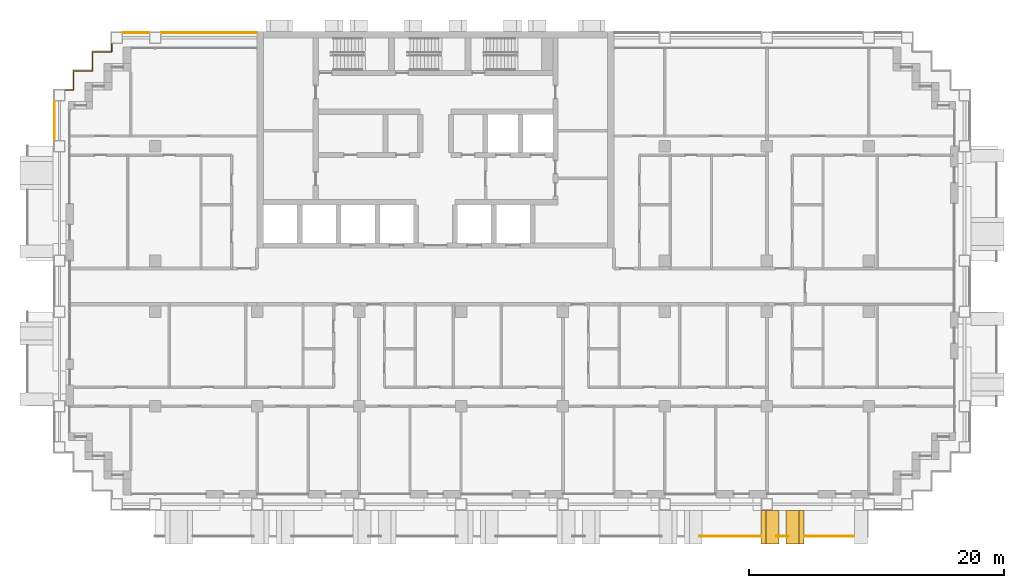
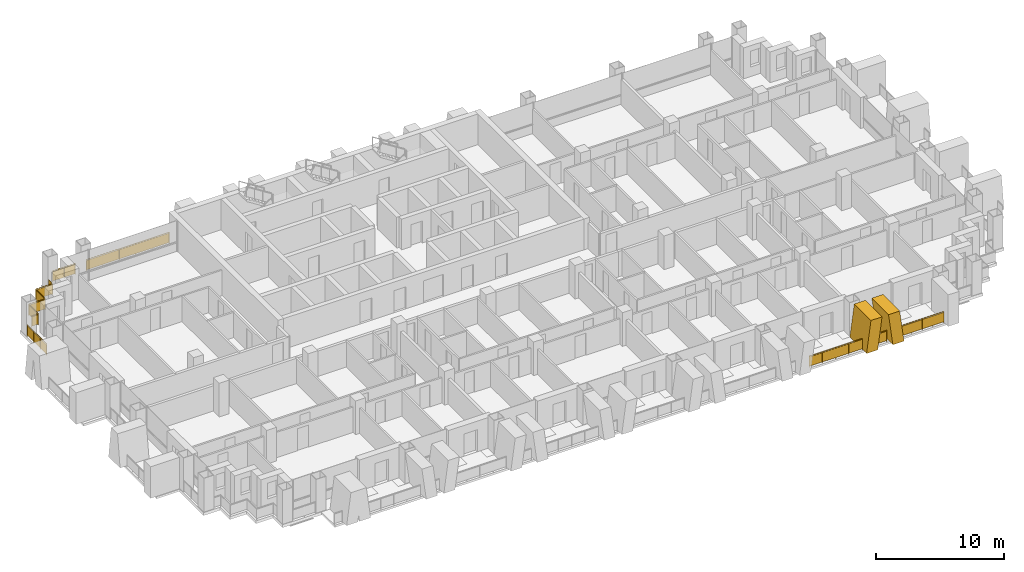
# One storey, part 16 of 18: 7 railings, 2 shading devices.
"""IFC4 building model written with IfcOpenShell, lengths in metres."""

from ifc_helpers import new_model, si_unit, direction, frame, origin, origin_2d, place, context, subcontext, project, spatial, polyline, rectangle, circle, outline, extrude, material, layer, layer_set, type_object, element, save


model = new_model("IFC4")

# Units and contexts
model_context = context("Model", 3, precision=1e-05, world=origin(), true_north=direction((0.0, 1.0)))
body_context = subcontext(model_context, "Body", "Model", "MODEL_VIEW")
ifc_project = project(units=[si_unit("LENGTHUNIT", "METRE"), si_unit("AREAUNIT", "SQUARE_METRE"), si_unit("VOLUMEUNIT", "CUBIC_METRE"), si_unit("PLANEANGLEUNIT", "RADIAN"), si_unit("MASSUNIT", "GRAM", prefix="KILO")], contexts=[model_context])

# Site, building, storey
site_placement = place(None, origin())
site = spatial("IfcSite", under=ifc_project, at=site_placement, CompositionType="ELEMENT")
building_placement = place(site_placement, origin())
building = spatial("IfcBuilding", under=site, at=building_placement, Name="Vidyagriha Tower", CompositionType="ELEMENT")
storey_placement = place(building_placement, frame((0.0, 0.0, 83.89990234375)))
storey = spatial("IfcBuildingStorey", under=building, at=storey_placement, Name="L21", CompositionType="ELEMENT", Elevation=83.89990234375)

# Railings
ifc_material_1 = material(Name="Steel ASTM A500 Grade C black painted", Category="steel")
railing_type_1 = type_object("IfcRailingType", Name="Balcony guard 1100", PredefinedType="BALUSTRADE", material=ifc_material_1)
railing_1_placement = place(storey_placement, frame((20.71630859375, -19.60009765625, 0.0)))
element("IfcRailing", 1, at=railing_1_placement, inside=storey, type_object=railing_type_1, Name="Balcony guard L21 R23.1-12", PredefinedType="BALUSTRADE", context=body_context, shape_type="SweptSolid", body=[
    extrude(circle(Radius=0.02490234375, at=origin_2d()), frame((0.0, 0.0, 1.0751953125), z_axis=(1.0, 0.0, 0.0), x_axis=(0.0, 1.0, 0.0)), (0.0, 0.0, 1.0), 4.773681640625),
    extrude(circle(Radius=0.02001953125, at=origin_2d()), origin(), (0.0, 0.0, 1.0), 1.050048828125),
    extrude(circle(Radius=0.02001953125, at=origin_2d()), frame((1.193359375, 0.0, 0.0)), (0.0, 0.0, 1.0), 1.050048828125),
    extrude(circle(Radius=0.02001953125, at=origin_2d()), frame((2.38671875, 0.0, 0.0)), (0.0, 0.0, 1.0), 1.050048828125),
    extrude(circle(Radius=0.02001953125, at=origin_2d()), frame((3.580322265625, 0.0, 0.0)), (0.0, 0.0, 1.0), 1.050048828125),
    extrude(circle(Radius=0.02001953125, at=origin_2d()), frame((4.773681640625, 0.0, 0.0)), (0.0, 0.0, 1.0), 1.050048828125),
    extrude(rectangle(XDim=0.010009765625, YDim=0.900146484375, at=origin_2d()), frame((0.0, 0.0, 0.550048828125), z_axis=(1.0, 0.0, 0.0), x_axis=(0.0, 1.0, 0.0)), (0.0, 0.0, 1.0), 4.773681640625),
])
railing_2_placement = place(storey_placement, frame((26.741455078125, -19.60009765625, 0.0)))
element("IfcRailing", 2, at=railing_2_placement, inside=storey, type_object=railing_type_1, Name="Balcony guard L21 R23.1-13", PredefinedType="BALUSTRADE", context=body_context, shape_type="SweptSolid", body=[
    extrude(circle(Radius=0.02490234375, at=origin_2d()), frame((0.0, 0.0, 1.0751953125), z_axis=(1.0, 0.0, 0.0), x_axis=(0.0, 1.0, 0.0)), (0.0, 0.0, 1.0), 0.967041015625),
    extrude(circle(Radius=0.02001953125, at=origin_2d()), origin(), (0.0, 0.0, 1.0), 1.050048828125),
    extrude(circle(Radius=0.02001953125, at=origin_2d()), frame((0.967041015625, 0.0, 0.0)), (0.0, 0.0, 1.0), 1.050048828125),
    extrude(rectangle(XDim=0.010009765625, YDim=0.900146484375, at=origin_2d()), frame((0.0, 0.0, 0.550048828125), z_axis=(1.0, 0.0, 0.0), x_axis=(0.0, 1.0, 0.0)), (0.0, 0.0, 1.0), 0.967041015625),
])
railing_3_placement = place(storey_placement, frame((28.9599609375, -19.60009765625, 0.0)))
element("IfcRailing", 3, at=railing_3_placement, inside=storey, type_object=railing_type_1, Name="Balcony guard L21 R23.1-14", PredefinedType="BALUSTRADE", context=body_context, shape_type="SweptSolid", body=[
    extrude(circle(Radius=0.02490234375, at=origin_2d()), frame((0.0, 0.0, 1.0751953125), z_axis=(1.0, 0.0, 0.0), x_axis=(0.0, 1.0, 0.0)), (0.0, 0.0, 1.0), 3.864990234375),
    extrude(circle(Radius=0.02001953125, at=origin_2d()), origin(), (0.0, 0.0, 1.0), 1.050048828125),
    extrude(circle(Radius=0.02001953125, at=origin_2d()), frame((0.96630859375, 0.0, 0.0)), (0.0, 0.0, 1.0), 1.050048828125),
    extrude(circle(Radius=0.02001953125, at=origin_2d()), frame((1.9326171875, 0.0, 0.0)), (0.0, 0.0, 1.0), 1.050048828125),
    extrude(circle(Radius=0.02001953125, at=origin_2d()), frame((2.898681640625, 0.0, 0.0)), (0.0, 0.0, 1.0), 1.050048828125),
    extrude(circle(Radius=0.02001953125, at=origin_2d()), frame((3.864990234375, 0.0, 0.0)), (0.0, 0.0, 1.0), 1.050048828125),
    extrude(rectangle(XDim=0.010009765625, YDim=0.900146484375, at=origin_2d()), frame((0.0, 0.0, 0.550048828125), z_axis=(1.0, 0.0, 0.0), x_axis=(0.0, 1.0, 0.0)), (0.0, 0.0, 1.0), 3.864990234375),
])

# Shading devices
ifc_material_2 = material(Name="Precast concrete C40/50 with buff brick facing", Category="concrete")
ifc_layer = layer(ifc_material_2, 1.0)
ifc_layer_set = layer_set([ifc_layer], Name="Precast concrete C40/50 with buff brick facing")
shading_device_type = type_object("IfcShadingDeviceType", Name="Brick-faced blade fin arm leaning 8 degrees", PredefinedType="USERDEFINED", material=ifc_layer_set)
shading_device_1_placement = place(storey_placement, frame((25.5400390625, -18.89990234375, 0.0)))
element("IfcShadingDevice", 4, at=shading_device_1_placement, inside=storey, type_object=shading_device_type, Name="Leaning blade fin L21 R23.4990a", ObjectType="BLADE FIN", PredefinedType="USERDEFINED", context=body_context, shape_type="SweptSolid", body=[
    extrude(outline(polyline([(0.0, 0.0), (1.0, 0.0), (1.39501953125, 3.0), (0.39501953125, 3.0), (0.0, 0.0)])), frame((0.0, 1.300048828125, 0.0), z_axis=(0.0, -1.0, 0.0), x_axis=(1.0, 0.0, 0.0)), (0.0, 0.0, 1.0), 2.60009765625),
])
shading_device_2_placement = place(storey_placement, frame((27.514892578125, -18.89990234375, 0.0)))
element("IfcShadingDevice", 5, at=shading_device_2_placement, inside=storey, type_object=shading_device_type, Name="Leaning blade fin L21 R23.4990b", ObjectType="BLADE FIN", PredefinedType="USERDEFINED", context=body_context, shape_type="SweptSolid", body=[
    extrude(outline(polyline([(0.39501953125, 0.0), (1.39501953125, 0.0), (1.0, 3.0), (0.0, 3.0), (0.39501953125, 0.0)])), frame((0.0, 1.300048828125, 0.0), z_axis=(0.0, -1.0, 0.0), x_axis=(1.0, 0.0, 0.0)), (0.0, 0.0, 1.0), 2.60009765625),
])

# Railings
ifc_material_3 = material(Name="Steel ASTM A500 Grade C black painted", Category="steel")
railing_type_2 = type_object("IfcRailingType", Name="Gallery guard 1100", PredefinedType="GUARDRAIL", material=ifc_material_3)
railing_4_placement = place(storey_placement, frame((-29.89990234375, 11.47998046875, 0.0)))
element("IfcRailing", 6, at=railing_4_placement, inside=storey, type_object=railing_type_2, Name="Gallery guard L21 3", PredefinedType="GUARDRAIL", context=body_context, shape_type="SweptSolid", body=[
    extrude(circle(Radius=0.02490234375, at=origin_2d()), frame((0.0, 0.0, 1.0751953125), z_axis=(0.0, 1.0, 0.0), x_axis=(-1.0, 0.0, 0.0)), (0.0, 0.0, 1.0), 3.0400390625),
    extrude(circle(Radius=0.02001953125, at=origin_2d()), origin(), (0.0, 0.0, 1.0), 1.050048828125),
    extrude(circle(Radius=0.02001953125, at=origin_2d()), frame((0.0, 1.013427734375, 0.0)), (0.0, 0.0, 1.0), 1.050048828125),
    extrude(circle(Radius=0.02001953125, at=origin_2d()), frame((0.0, 2.026611328125, 0.0)), (0.0, 0.0, 1.0), 1.050048828125),
    extrude(circle(Radius=0.02001953125, at=origin_2d()), frame((0.0, 3.0400390625, 0.0)), (0.0, 0.0, 1.0), 1.050048828125),
    extrude(rectangle(XDim=0.010009765625, YDim=0.900146484375, at=origin_2d()), frame((0.0, 0.0, 0.550048828125), z_axis=(0.0, 1.0, 0.0), x_axis=(-1.0, 0.0, 0.0)), (0.0, 0.0, 1.0), 3.0400390625),
])
railing_5_placement = place(storey_placement, frame((-29.02001953125, 15.39990234375, 0.0)))
element("IfcRailing", 7, at=railing_5_placement, inside=storey, type_object=railing_type_2, Name="Gallery guard L21 5", PredefinedType="GUARDRAIL", context=body_context, shape_type="SweptSolid", body=[
    extrude(circle(Radius=0.02490234375, at=origin_2d()), frame((0.0, 0.0, 1.0751953125), z_axis=(1.0, 0.0, 0.0), x_axis=(0.0, 1.0, 0.0)), (0.0, 0.0, 1.0), 0.6201171875),
    extrude(circle(Radius=0.02490234375, at=origin_2d()), frame((0.6201171875, 0.0, 1.0751953125), z_axis=(0.0, 1.0, 0.0), x_axis=(-1.0, 0.0, 0.0)), (0.0, 0.0, 1.0), 1.5),
    extrude(circle(Radius=0.02490234375, at=origin_2d()), frame((0.6201171875, 1.5, 1.0751953125), z_axis=(1.0, 0.0, 0.0), x_axis=(0.0, 1.0, 0.0)), (0.0, 0.0, 1.0), 1.5),
    extrude(circle(Radius=0.02490234375, at=origin_2d()), frame((2.1201171875, 1.5, 1.0751953125), z_axis=(0.0, 1.0, 0.0), x_axis=(-1.0, 0.0, 0.0)), (0.0, 0.0, 1.0), 1.5),
    extrude(circle(Radius=0.02490234375, at=origin_2d()), frame((2.1201171875, 3.0, 1.0751953125), z_axis=(1.0, 0.0, 0.0), x_axis=(0.0, 1.0, 0.0)), (0.0, 0.0, 1.0), 1.5),
    extrude(circle(Radius=0.02490234375, at=origin_2d()), frame((3.6201171875, 3.0, 1.0751953125), z_axis=(0.0, 1.0, 0.0), x_axis=(-1.0, 0.0, 0.0)), (0.0, 0.0, 1.0), 0.6201171875),
    extrude(circle(Radius=0.02001953125, at=origin_2d()), origin(), (0.0, 0.0, 1.0), 1.050048828125),
    extrude(circle(Radius=0.02001953125, at=origin_2d()), frame((0.6201171875, 0.0, 0.0)), (0.0, 0.0, 1.0), 1.050048828125),
    extrude(circle(Radius=0.02001953125, at=origin_2d()), frame((0.6201171875, 1.5, 0.0)), (0.0, 0.0, 1.0), 1.050048828125),
    extrude(circle(Radius=0.02001953125, at=origin_2d()), frame((2.1201171875, 1.5, 0.0)), (0.0, 0.0, 1.0), 1.050048828125),
    extrude(circle(Radius=0.02001953125, at=origin_2d()), frame((2.1201171875, 3.0, 0.0)), (0.0, 0.0, 1.0), 1.050048828125),
    extrude(circle(Radius=0.02001953125, at=origin_2d()), frame((3.6201171875, 3.0, 0.0)), (0.0, 0.0, 1.0), 1.050048828125),
    extrude(circle(Radius=0.02001953125, at=origin_2d()), frame((3.6201171875, 3.6201171875, 0.0)), (0.0, 0.0, 1.0), 1.050048828125),
    extrude(rectangle(XDim=0.010009765625, YDim=0.900146484375, at=origin_2d()), frame((0.0, 0.0, 0.550048828125), z_axis=(1.0, 0.0, 0.0), x_axis=(0.0, 1.0, 0.0)), (0.0, 0.0, 1.0), 0.6201171875),
    extrude(rectangle(XDim=0.010009765625, YDim=0.900146484375, at=origin_2d()), frame((0.6201171875, 0.0, 0.550048828125), z_axis=(0.0, 1.0, 0.0), x_axis=(-1.0, 0.0, 0.0)), (0.0, 0.0, 1.0), 1.5),
    extrude(rectangle(XDim=0.010009765625, YDim=0.900146484375, at=origin_2d()), frame((0.6201171875, 1.5, 0.550048828125), z_axis=(1.0, 0.0, 0.0), x_axis=(0.0, 1.0, 0.0)), (0.0, 0.0, 1.0), 1.5),
    extrude(rectangle(XDim=0.010009765625, YDim=0.900146484375, at=origin_2d()), frame((2.1201171875, 1.5, 0.550048828125), z_axis=(0.0, 1.0, 0.0), x_axis=(-1.0, 0.0, 0.0)), (0.0, 0.0, 1.0), 1.5),
    extrude(rectangle(XDim=0.010009765625, YDim=0.900146484375, at=origin_2d()), frame((2.1201171875, 3.0, 0.550048828125), z_axis=(1.0, 0.0, 0.0), x_axis=(0.0, 1.0, 0.0)), (0.0, 0.0, 1.0), 1.5),
    extrude(rectangle(XDim=0.010009765625, YDim=0.900146484375, at=origin_2d()), frame((3.6201171875, 3.0, 0.550048828125), z_axis=(0.0, 1.0, 0.0), x_axis=(-1.0, 0.0, 0.0)), (0.0, 0.0, 1.0), 0.6201171875),
])
railing_6_placement = place(storey_placement, frame((-24.52001953125, 19.89990234375, 0.0)))
element("IfcRailing", 8, at=railing_6_placement, inside=storey, type_object=railing_type_2, Name="Gallery guard L21 7", PredefinedType="GUARDRAIL", context=body_context, shape_type="SweptSolid", body=[
    extrude(circle(Radius=0.02490234375, at=origin_2d()), frame((0.0, 0.0, 1.0751953125), z_axis=(1.0, 0.0, 0.0), x_axis=(0.0, 1.0, 0.0)), (0.0, 0.0, 1.0), 2.0400390625),
    extrude(circle(Radius=0.02001953125, at=origin_2d()), origin(), (0.0, 0.0, 1.0), 1.050048828125),
    extrude(circle(Radius=0.02001953125, at=origin_2d()), frame((1.02001953125, 0.0, 0.0)), (0.0, 0.0, 1.0), 1.050048828125),
    extrude(circle(Radius=0.02001953125, at=origin_2d()), frame((2.0400390625, 0.0, 0.0)), (0.0, 0.0, 1.0), 1.050048828125),
    extrude(rectangle(XDim=0.010009765625, YDim=0.900146484375, at=origin_2d()), frame((0.0, 0.0, 0.550048828125), z_axis=(1.0, 0.0, 0.0), x_axis=(0.0, 1.0, 0.0)), (0.0, 0.0, 1.0), 2.0400390625),
])
railing_7_placement = place(storey_placement, frame((-21.52001953125, 19.89990234375, 0.0)))
element("IfcRailing", 9, at=railing_7_placement, inside=storey, type_object=railing_type_2, Name="Gallery guard L21 8", PredefinedType="GUARDRAIL", context=body_context, shape_type="SweptSolid", body=[
    extrude(circle(Radius=0.02490234375, at=origin_2d()), frame((0.0, 0.0, 1.0751953125), z_axis=(1.0, 0.0, 0.0), x_axis=(0.0, 1.0, 0.0)), (0.0, 0.0, 1.0), 7.489990234375),
    extrude(circle(Radius=0.02001953125, at=origin_2d()), origin(), (0.0, 0.0, 1.0), 1.050048828125),
    extrude(circle(Radius=0.02001953125, at=origin_2d()), frame((1.498046875, 0.0, 0.0)), (0.0, 0.0, 1.0), 1.050048828125),
    extrude(circle(Radius=0.02001953125, at=origin_2d()), frame((2.99609375, 0.0, 0.0)), (0.0, 0.0, 1.0), 1.050048828125),
    extrude(circle(Radius=0.02001953125, at=origin_2d()), frame((4.493896484375, 0.0, 0.0)), (0.0, 0.0, 1.0), 1.050048828125),
    extrude(circle(Radius=0.02001953125, at=origin_2d()), frame((5.991943359375, 0.0, 0.0)), (0.0, 0.0, 1.0), 1.050048828125),
    extrude(circle(Radius=0.02001953125, at=origin_2d()), frame((7.489990234375, 0.0, 0.0)), (0.0, 0.0, 1.0), 1.050048828125),
    extrude(rectangle(XDim=0.010009765625, YDim=0.900146484375, at=origin_2d()), frame((0.0, 0.0, 0.550048828125), z_axis=(1.0, 0.0, 0.0), x_axis=(0.0, 1.0, 0.0)), (0.0, 0.0, 1.0), 7.489990234375),
])

save(model, "model.ifc")
